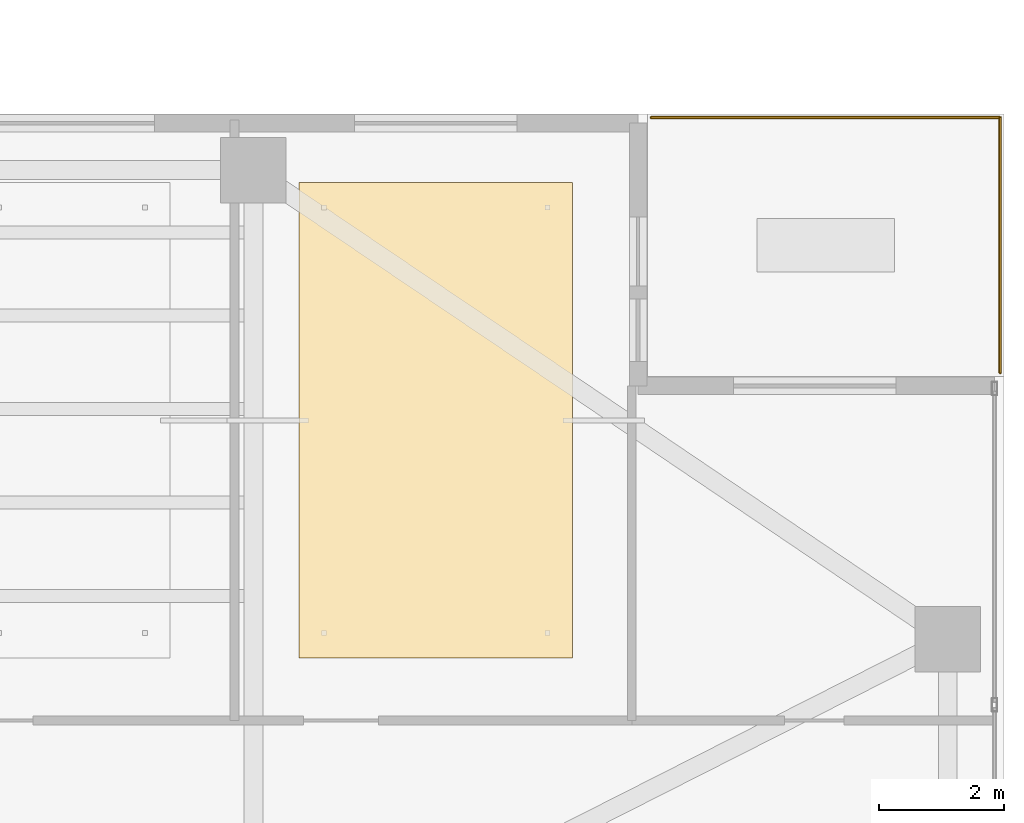
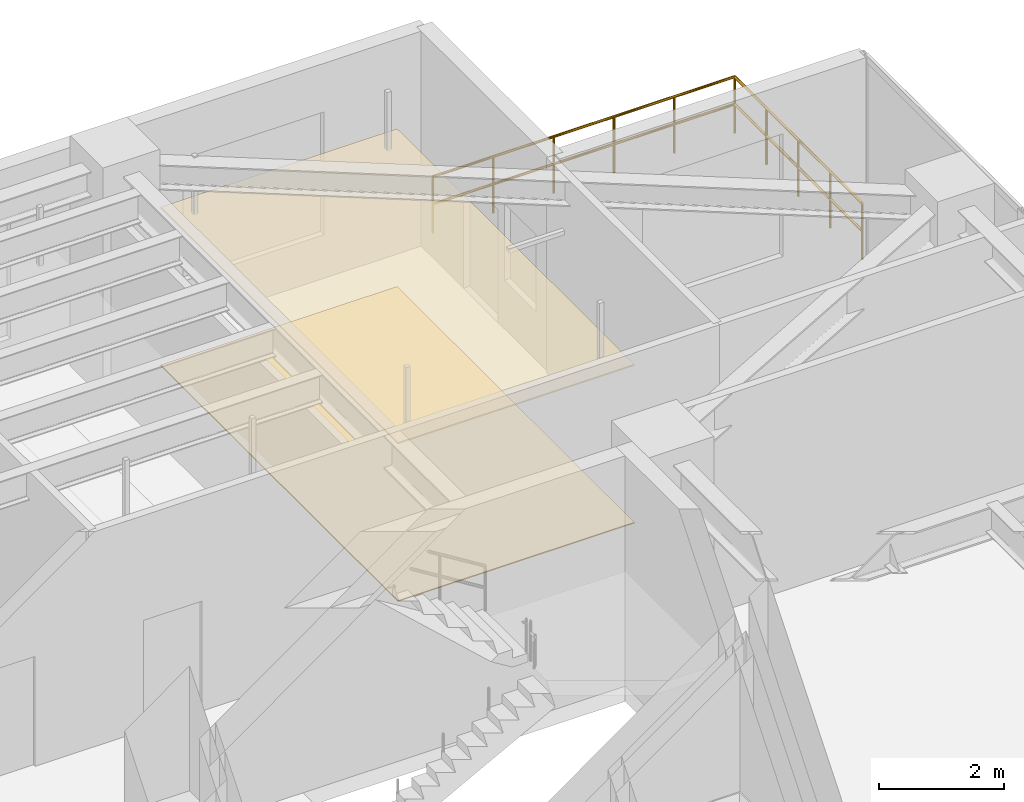
# One storey, part 37 of 37: 2 coverings, 2 railings.
"""IFC4 building model written with IfcOpenShell, lengths in metres."""

from ifc_helpers import new_model, si_unit, direction, frame, origin, origin_2d, place, context, subcontext, project, spatial, polyline, circle, outline, extrude, material, layer, layer_set, type_object, element, save


model = new_model("IFC4")

# Units and contexts
model_context = context("Model", 3, precision=1e-05, world=origin(), true_north=direction((0.0, 1.0)))
body_context = subcontext(model_context, "Body", "Model", "MODEL_VIEW")
ifc_project = project(units=[si_unit("LENGTHUNIT", "METRE"), si_unit("AREAUNIT", "SQUARE_METRE"), si_unit("VOLUMEUNIT", "CUBIC_METRE"), si_unit("PLANEANGLEUNIT", "RADIAN"), si_unit("MASSUNIT", "GRAM", prefix="KILO")], contexts=[model_context])

# Site, building, storey
site_placement = place(None, origin())
site = spatial("IfcSite", under=ifc_project, at=site_placement, CompositionType="ELEMENT")
building_placement = place(site_placement, origin())
building = spatial("IfcBuilding", under=site, at=building_placement, Name="Tarnavaz Court Tower", CompositionType="ELEMENT")
storey_placement = place(building_placement, frame((0.0, 0.0, 118.5)))
storey = spatial("IfcBuildingStorey", under=building, at=storey_placement, Name="L32", CompositionType="ELEMENT", Elevation=118.5)

# Coverings
ifc_material_1 = material(Name="Perforated Gypsum Acoustic Ceiling Tile", Category="masonry")
ifc_layer_1 = layer(ifc_material_1, 0.02490234375)
ifc_layer_set_1 = layer_set([ifc_layer_1], Name="Perforated Gypsum Acoustic Ceiling Tile")
covering_type_1 = type_object("IfcCoveringType", Name="CV-CEIL-AC", PredefinedType="CEILING", material=ifc_layer_set_1)
covering_1_placement = place(storey_placement, frame((0.0, 0.0, 3.080078125)))
element("IfcCovering", 1, at=covering_1_placement, inside=storey, type_object=covering_type_1, Name="L32 L32 Fitness Studio Suspended Acoustic Ceiling", PredefinedType="CEILING", context=body_context, shape_type="SweptSolid", body=[
    extrude(outline(polyline([(15.72705078125, 13.5), (20.10009765625, 13.5), (20.10009765625, 21.10009765625), (15.72705078125, 21.10009765625), (15.72705078125, 13.5)])), origin(), (0.0, 0.0, 1.0), 0.02490234375),
])
ifc_material_2 = material(Name="Glazed Khorasan Porcelain Floor Tile", Category="masonry")
ifc_layer_2 = layer(ifc_material_2, 0.02001953125)
ifc_layer_set_2 = layer_set([ifc_layer_2], Name="Glazed Khorasan Porcelain Floor Tile")
covering_type_2 = type_object("IfcCoveringType", Name="CV-FLR-PORC", PredefinedType="FLOORING", material=ifc_layer_set_2)
covering_2_placement = place(storey_placement, origin())
element("IfcCovering", 2, at=covering_2_placement, inside=storey, type_object=covering_type_2, Name="L32 L32 Fitness Studio Porcelain Floor Finish", PredefinedType="FLOORING", context=body_context, shape_type="SweptSolid", body=[
    extrude(outline(polyline([(15.72705078125, 13.5), (20.10009765625, 13.5), (20.10009765625, 21.10009765625), (15.72705078125, 21.10009765625), (15.72705078125, 13.5)])), origin(), (0.0, 0.0, 1.0), 0.02001953125),
])

# Railings
ifc_material_3 = material(Name="Anodised Aluminium 6063-T6 and Laminated Safety Glass", Category="aluminium")
railing_type = type_object("IfcRailingType", Name="RL-BAL-1120", PredefinedType="BALUSTRADE", material=ifc_material_3)
railing_1_placement = place(storey_placement, frame((26.93994140625, 18.06005859375, 0.0)))
element("IfcRailing", 3, at=railing_1_placement, inside=storey, type_object=railing_type, Name="L32 Terrace 1 E Perimeter Balustrade", PredefinedType="BALUSTRADE", context=body_context, shape_type="SweptSolid", body=[
    extrude(circle(Radius=0.02392578125, at=origin_2d()), frame((0.0, 0.0, 1.09619140625), z_axis=(0.0, 1.0, 0.0), x_axis=(-1.0, 0.0, 0.0)), (0.0, 0.0, 1.0), 4.079833984375),
    extrude(circle(Radius=0.02392578125, at=origin_2d()), frame((0.0, 0.0, 0.56005859375), z_axis=(0.0, 1.0, 0.0), x_axis=(-1.0, 0.0, 0.0)), (0.0, 0.0, 1.0), 4.079833984375),
    extrude(circle(Radius=0.02099609375, at=origin_2d()), origin(), (0.0, 0.0, 1.0), 1.072021484375),
    extrude(circle(Radius=0.02099609375, at=origin_2d()), frame((0.0, 1.02001953125, 0.0)), (0.0, 0.0, 1.0), 1.072021484375),
    extrude(circle(Radius=0.02099609375, at=origin_2d()), frame((0.0, 2.0400390625, 0.0)), (0.0, 0.0, 1.0), 1.072021484375),
    extrude(circle(Radius=0.02099609375, at=origin_2d()), frame((0.0, 3.059814453125, 0.0)), (0.0, 0.0, 1.0), 1.072021484375),
    extrude(circle(Radius=0.02099609375, at=origin_2d()), frame((0.0, 4.079833984375, 0.0)), (0.0, 0.0, 1.0), 1.072021484375),
])
railing_2_placement = place(storey_placement, frame((26.93994140625, 22.139892578125, 0.0)))
element("IfcRailing", 4, at=railing_2_placement, inside=storey, type_object=railing_type, Name="L32 Terrace 1 N Perimeter Balustrade", PredefinedType="BALUSTRADE", context=body_context, shape_type="SweptSolid", body=[
    extrude(circle(Radius=0.02392578125, at=origin_2d()), frame((0.0, 0.0, 1.09619140625), z_axis=(-1.0, 0.0, 0.0), x_axis=(0.0, -1.0, 0.0)), (0.0, 0.0, 1.0), 5.579833984375),
    extrude(circle(Radius=0.02392578125, at=origin_2d()), frame((0.0, 0.0, 0.56005859375), z_axis=(-1.0, 0.0, 0.0), x_axis=(0.0, -1.0, 0.0)), (0.0, 0.0, 1.0), 5.579833984375),
    extrude(circle(Radius=0.02099609375, at=origin_2d()), origin(), (0.0, 0.0, 1.0), 1.072021484375),
    extrude(circle(Radius=0.02099609375, at=origin_2d()), frame((-1.115966796875, 0.0, 0.0)), (0.0, 0.0, 1.0), 1.072021484375),
    extrude(circle(Radius=0.02099609375, at=origin_2d()), frame((-2.23193359375, 0.0, 0.0)), (0.0, 0.0, 1.0), 1.072021484375),
    extrude(circle(Radius=0.02099609375, at=origin_2d()), frame((-3.347900390625, 0.0, 0.0)), (0.0, 0.0, 1.0), 1.072021484375),
    extrude(circle(Radius=0.02099609375, at=origin_2d()), frame((-4.4638671875, 0.0, 0.0)), (0.0, 0.0, 1.0), 1.072021484375),
    extrude(circle(Radius=0.02099609375, at=origin_2d()), frame((-5.579833984375, 0.0, 0.0)), (0.0, 0.0, 1.0), 1.072021484375),
])

save(model, "model.ifc")
